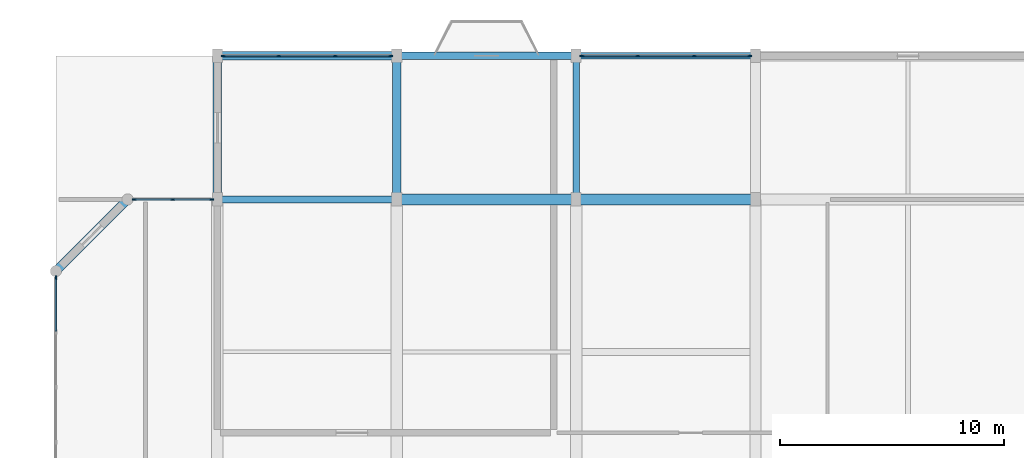
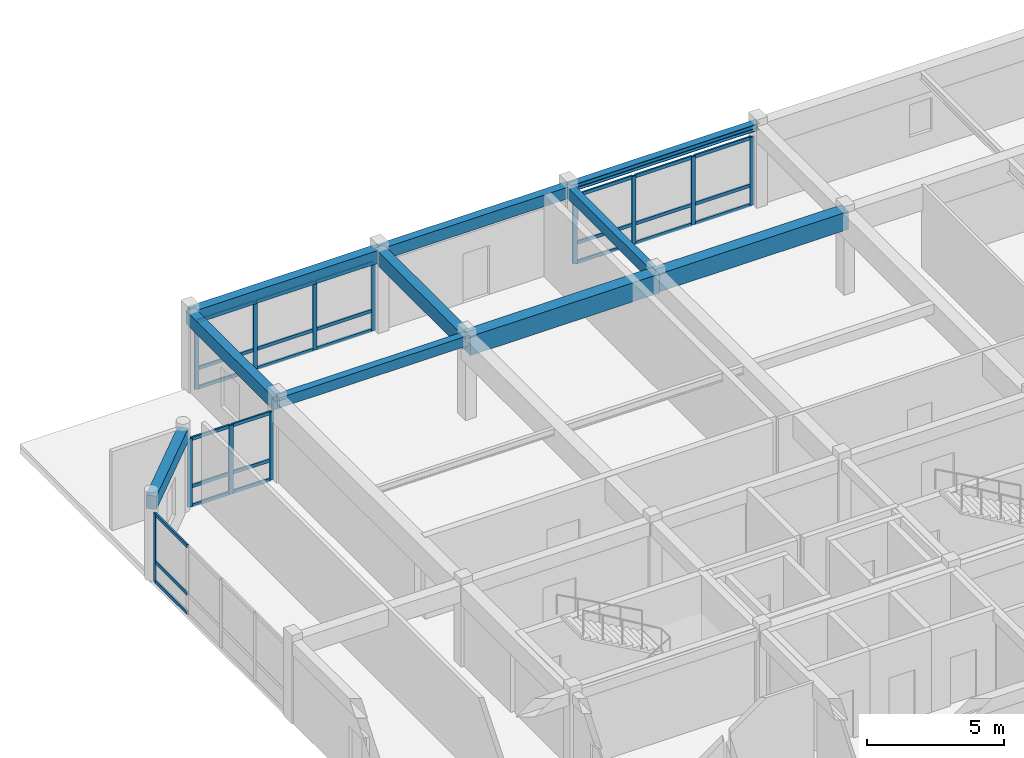
# One storey, part 5 of 12: 39 members, 10 beams, 4 elements without a shape of their own.
"""IFC4 building model written with IfcOpenShell, lengths in metres."""

from ifc_helpers import new_model, si_unit, direction, frame, origin, origin_2d, place, context, subcontext, project, spatial, rectangle, i_section, extrude, material, material_profile, profile_set, type_object, element, aggregate, save


model = new_model("IFC4")

# Units and contexts
model_context = context("Model", 3, precision=1e-05, world=origin(), true_north=direction((0.0, 1.0)))
body_context = subcontext(model_context, "Body", "Model", "MODEL_VIEW")
ifc_project = project(units=[si_unit("LENGTHUNIT", "METRE"), si_unit("AREAUNIT", "SQUARE_METRE"), si_unit("VOLUMEUNIT", "CUBIC_METRE"), si_unit("PLANEANGLEUNIT", "RADIAN"), si_unit("MASSUNIT", "GRAM", prefix="KILO")], contexts=[model_context])

# Site, building, storey
site_placement = place(None, origin())
site = spatial("IfcSite", under=ifc_project, at=site_placement, CompositionType="ELEMENT")
building_placement = place(site_placement, origin())
building = spatial("IfcBuilding", under=site, at=building_placement, Name="Vellmiral Cinema and Media Centre", CompositionType="ELEMENT")
storey_placement = place(building_placement, frame((0.0, 0.0, 62.64990234375)))
storey = spatial("IfcBuildingStorey", under=building, at=storey_placement, Name="L15", CompositionType="ELEMENT", Elevation=62.64990234375)

# Beams
ifc_material_1 = material(Name="Concrete C40/50", Category="concrete")
ifc_material_profile_1 = material_profile(ifc_material_1, rectangle(XDim=0.300048828125, YDim=0.449951171875, at=origin_2d()), Name="RC 300x450")
ifc_profile_set_1 = profile_set([ifc_material_profile_1], Name="Concrete C40/50")
beam_type_1 = type_object("IfcBeamType", Name="BM-RC-300x450", PredefinedType="BEAM", material=ifc_profile_set_1)
beam_1_placement = place(storey_placement, frame((124.0, 108.800048828125, 3.420166015625), z_axis=(1.0, 0.0, 0.0), x_axis=(0.0, 1.0, 0.0)))
element("IfcBeam", 1, at=beam_1_placement, inside=storey, type_object=beam_type_1, Name="Grid Beam L15-X023", PredefinedType="BEAM", context=body_context, shape_type="SweptSolid", body=[
    extrude(rectangle(XDim=0.300048828125, YDim=0.449951171875, at=origin_2d()), origin(), (0.0, 0.0, 1.0), 8.0),
])
ifc_material_2 = material(Name="Concrete C40/50", Category="concrete")
ifc_material_profile_2 = material_profile(ifc_material_2, rectangle(XDim=0.300048828125, YDim=0.5, at=origin_2d()), Name="RC 300x500")
ifc_profile_set_2 = profile_set([ifc_material_profile_2], Name="Concrete C40/50")
beam_type_2 = type_object("IfcBeamType", Name="BM-RC-300x500", PredefinedType="BEAM", material=ifc_profile_set_2)
beam_2_placement = place(storey_placement, frame((140.0, 108.800048828125, 3.39501953125), z_axis=(0.0, 1.0, 0.0), x_axis=(-1.0, 0.0, 0.0)))
element("IfcBeam", 2, at=beam_2_placement, inside=storey, type_object=beam_type_2, Name="Grid Beam L15-Y047", PredefinedType="BEAM", context=body_context, shape_type="SweptSolid", body=[
    extrude(rectangle(XDim=0.300048828125, YDim=0.5, at=origin_2d()), origin(), (0.0, 0.0, 1.0), 6.39990234375),
])
ifc_material_3 = material(Name="Concrete C40/50", Category="concrete")
ifc_material_profile_3 = material_profile(ifc_material_3, rectangle(XDim=0.39990234375, YDim=0.64990234375, at=origin_2d()), Name="RC 400x650")
ifc_profile_set_3 = profile_set([ifc_material_profile_3], Name="Concrete C40/50")
beam_type_3 = type_object("IfcBeamType", Name="BM-RC-400x650", PredefinedType="BEAM", material=ifc_profile_set_3)
beam_3_placement = place(storey_placement, frame((132.0, 108.800048828125, 3.320068359375), z_axis=(0.0, 1.0, 0.0), x_axis=(-1.0, 0.0, 0.0)))
element("IfcBeam", 3, at=beam_3_placement, inside=storey, type_object=beam_type_3, Name="Grid Beam L15-Y042", PredefinedType="BEAM", context=body_context, shape_type="SweptSolid", body=[
    extrude(rectangle(XDim=0.39990234375, YDim=0.64990234375, at=origin_2d()), origin(), (0.0, 0.0, 1.0), 6.39990234375),
])
ifc_material_4 = material(Name="Concrete C40/50", Category="concrete")
ifc_material_profile_4 = material_profile(ifc_material_4, rectangle(XDim=0.5, YDim=0.800048828125, at=origin_2d()), Name="RC 500x800")
ifc_profile_set_4 = profile_set([ifc_material_profile_4], Name="Concrete C40/50")
beam_type_4 = type_object("IfcBeamType", Name="BM-RC-500x800", PredefinedType="BEAM", material=ifc_profile_set_4)
beam_4_placement = place(storey_placement, frame((140.0, 108.800048828125, 3.2451171875), z_axis=(1.0, 0.0, 0.0), x_axis=(0.0, 1.0, 0.0)))
element("IfcBeam", 4, at=beam_4_placement, inside=storey, type_object=beam_type_4, Name="Grid Beam L15-X025", PredefinedType="BEAM", context=body_context, shape_type="SweptSolid", body=[
    extrude(rectangle(XDim=0.5, YDim=0.800048828125, at=origin_2d()), origin(), (0.0, 0.0, 1.0), 8.0),
])
ifc_material_5 = material(Name="Concrete C40/50", Category="concrete")
ifc_material_profile_5 = material_profile(ifc_material_5, rectangle(XDim=0.5, YDim=0.85009765625, at=origin_2d()), Name="RC 500x850")
ifc_profile_set_5 = profile_set([ifc_material_profile_5], Name="Concrete C40/50")
beam_type_5 = type_object("IfcBeamType", Name="BM-RC-500x850", PredefinedType="BEAM", material=ifc_profile_set_5)
beam_5_placement = place(storey_placement, frame((132.0, 108.800048828125, 3.22021484375), z_axis=(1.0, 0.0, 0.0), x_axis=(0.0, 1.0, 0.0)))
element("IfcBeam", 5, at=beam_5_placement, inside=storey, type_object=beam_type_5, Name="Grid Beam L15-X024", PredefinedType="BEAM", context=body_context, shape_type="SweptSolid", body=[
    extrude(rectangle(XDim=0.5, YDim=0.85009765625, at=origin_2d()), origin(), (0.0, 0.0, 1.0), 8.0),
])

# Curtain wall, members
ifc_material_6 = material(Name="Thermally Broken Aluminium and Triple Glazing", Category="aluminium")
curtain_wall_type = type_object("IfcCurtainWallType", Name="CW-CROWN-LANTERN", PredefinedType="USERDEFINED", material=ifc_material_6)
curtain_wall_1_placement = place(storey_placement, origin())
curtain_wall_1 = element("IfcCurtainWall", 6, at=curtain_wall_1_placement, inside=storey, type_object=curtain_wall_type, Name="Curtain Wall L15-B016", ObjectType="STICK CURTAIN WALL", PredefinedType="USERDEFINED")
ifc_material_7 = material(Name="Thermally Broken Anodised Aluminium", Category="aluminium")
ifc_material_profile_6 = material_profile(ifc_material_7, rectangle(XDim=0.070068359375, YDim=0.179931640625, at=origin_2d()), Name="MULL 70x180")
ifc_profile_set_6 = profile_set([ifc_material_profile_6], Name="Thermally Broken Anodised Aluminium")
member_type_1 = type_object("IfcMemberType", Name="CWM-70x180", PredefinedType="MULLION", material=ifc_profile_set_6)
member_1_placement = place(storey_placement, frame((147.739990234375, 115.199951171875, 0.0), z_axis=(0.0, 0.0, 1.0), x_axis=(0.0, -1.0, 0.0)))
member_1 = element("IfcMember", 7, at=member_1_placement, type_object=member_type_1, Name="CW-10 mullion 1", PredefinedType="MULLION", context=body_context, shape_type="SweptSolid", body=[
    extrude(rectangle(XDim=0.070068359375, YDim=0.179931640625, at=origin_2d()), origin(), (0.0, 0.0, 1.0), 3.050048828125),
])
member_2_placement = place(storey_placement, frame((145.25830078125, 115.199951171875, 0.0), z_axis=(0.0, 0.0, 1.0), x_axis=(0.0, -1.0, 0.0)))
member_2 = element("IfcMember", 8, at=member_2_placement, type_object=member_type_1, Name="CW-10 mullion 2", PredefinedType="MULLION", context=body_context, shape_type="SweptSolid", body=[
    extrude(rectangle(XDim=0.070068359375, YDim=0.179931640625, at=origin_2d()), origin(), (0.0, 0.0, 1.0), 3.050048828125),
])
member_3_placement = place(storey_placement, frame((142.74169921875, 115.199951171875, 0.0), z_axis=(0.0, 0.0, 1.0), x_axis=(0.0, -1.0, 0.0)))
member_3 = element("IfcMember", 9, at=member_3_placement, type_object=member_type_1, Name="CW-10 mullion 3", PredefinedType="MULLION", context=body_context, shape_type="SweptSolid", body=[
    extrude(rectangle(XDim=0.070068359375, YDim=0.179931640625, at=origin_2d()), origin(), (0.0, 0.0, 1.0), 3.050048828125),
])
member_4_placement = place(storey_placement, frame((140.260009765625, 115.199951171875, 0.0), z_axis=(0.0, 0.0, 1.0), x_axis=(0.0, -1.0, 0.0)))
member_4 = element("IfcMember", 10, at=member_4_placement, type_object=member_type_1, Name="CW-10 mullion 4", PredefinedType="MULLION", context=body_context, shape_type="SweptSolid", body=[
    extrude(rectangle(XDim=0.070068359375, YDim=0.179931640625, at=origin_2d()), origin(), (0.0, 0.0, 1.0), 3.050048828125),
])

curtain_wall_2_placement = place(storey_placement, origin())
curtain_wall_2 = element("IfcCurtainWall", 11, at=curtain_wall_2_placement, inside=storey, type_object=curtain_wall_type, Name="Curtain Wall L15-B018", ObjectType="STICK CURTAIN WALL", PredefinedType="USERDEFINED")
member_5_placement = place(storey_placement, frame((131.739990234375, 115.199951171875, 0.0), z_axis=(0.0, 0.0, 1.0), x_axis=(0.0, -1.0, 0.0)))
member_5 = element("IfcMember", 12, at=member_5_placement, type_object=member_type_1, Name="CW-10 mullion 1", PredefinedType="MULLION", context=body_context, shape_type="SweptSolid", body=[
    extrude(rectangle(XDim=0.070068359375, YDim=0.179931640625, at=origin_2d()), origin(), (0.0, 0.0, 1.0), 3.050048828125),
])
member_6_placement = place(storey_placement, frame((129.25830078125, 115.199951171875, 0.0), z_axis=(0.0, 0.0, 1.0), x_axis=(0.0, -1.0, 0.0)))
member_6 = element("IfcMember", 13, at=member_6_placement, type_object=member_type_1, Name="CW-10 mullion 2", PredefinedType="MULLION", context=body_context, shape_type="SweptSolid", body=[
    extrude(rectangle(XDim=0.070068359375, YDim=0.179931640625, at=origin_2d()), origin(), (0.0, 0.0, 1.0), 3.050048828125),
])
member_7_placement = place(storey_placement, frame((126.74169921875, 115.199951171875, 0.0), z_axis=(0.0, 0.0, 1.0), x_axis=(0.0, -1.0, 0.0)))
member_7 = element("IfcMember", 14, at=member_7_placement, type_object=member_type_1, Name="CW-10 mullion 3", PredefinedType="MULLION", context=body_context, shape_type="SweptSolid", body=[
    extrude(rectangle(XDim=0.070068359375, YDim=0.179931640625, at=origin_2d()), origin(), (0.0, 0.0, 1.0), 3.050048828125),
])
member_8_placement = place(storey_placement, frame((124.260009765625, 115.199951171875, 0.0), z_axis=(0.0, 0.0, 1.0), x_axis=(0.0, -1.0, 0.0)))
member_8 = element("IfcMember", 15, at=member_8_placement, type_object=member_type_1, Name="CW-10 mullion 4", PredefinedType="MULLION", context=body_context, shape_type="SweptSolid", body=[
    extrude(rectangle(XDim=0.070068359375, YDim=0.179931640625, at=origin_2d()), origin(), (0.0, 0.0, 1.0), 3.050048828125),
])

curtain_wall_3_placement = place(storey_placement, origin())
curtain_wall_3 = element("IfcCurtainWall", 16, at=curtain_wall_3_placement, inside=storey, type_object=curtain_wall_type, Name="Curtain Wall L15-B020", ObjectType="STICK CURTAIN WALL", PredefinedType="USERDEFINED")
member_9_placement = place(storey_placement, frame((123.739990234375, 108.800048828125, 0.0), z_axis=(0.0, 0.0, 1.0), x_axis=(0.0, -1.0, 0.0)))
member_9 = element("IfcMember", 17, at=member_9_placement, type_object=member_type_1, Name="CW-10 mullion 1", PredefinedType="MULLION", context=body_context, shape_type="SweptSolid", body=[
    extrude(rectangle(XDim=0.070068359375, YDim=0.179931640625, at=origin_2d()), origin(), (0.0, 0.0, 1.0), 3.050048828125),
])
member_10_placement = place(storey_placement, frame((122.012451171875, 108.800048828125, 0.0), z_axis=(0.0, 0.0, 1.0), x_axis=(0.0, -1.0, 0.0)))
member_10 = element("IfcMember", 18, at=member_10_placement, type_object=member_type_1, Name="CW-10 mullion 2", PredefinedType="MULLION", context=body_context, shape_type="SweptSolid", body=[
    extrude(rectangle(XDim=0.070068359375, YDim=0.179931640625, at=origin_2d()), origin(), (0.0, 0.0, 1.0), 3.050048828125),
])
member_11_placement = place(storey_placement, frame((120.284912109375, 108.800048828125, 0.0), z_axis=(0.0, 0.0, 1.0), x_axis=(0.0, -1.0, 0.0)))
member_11 = element("IfcMember", 19, at=member_11_placement, type_object=member_type_1, Name="CW-10 mullion 3", PredefinedType="MULLION", context=body_context, shape_type="SweptSolid", body=[
    extrude(rectangle(XDim=0.070068359375, YDim=0.179931640625, at=origin_2d()), origin(), (0.0, 0.0, 1.0), 3.050048828125),
])

# Curtain wall, member
curtain_wall_4_placement = place(storey_placement, origin())
curtain_wall_4 = element("IfcCurtainWall", 20, at=curtain_wall_4_placement, inside=storey, type_object=curtain_wall_type, Name="Curtain Wall L15-B022", ObjectType="STICK CURTAIN WALL", PredefinedType="USERDEFINED")
member_12_placement = place(storey_placement, frame((116.800048828125, 105.31494140625, 0.0), z_axis=(0.0, 0.0, 1.0), x_axis=(1.0, 0.0, 0.0)))
member_12 = element("IfcMember", 21, at=member_12_placement, type_object=member_type_1, Name="CW-10 mullion 1", PredefinedType="MULLION", context=body_context, shape_type="SweptSolid", body=[
    extrude(rectangle(XDim=0.070068359375, YDim=0.179931640625, at=origin_2d()), origin(), (0.0, 0.0, 1.0), 3.050048828125),
])

# Member
ifc_material_8 = material(Name="Thermally Broken Anodised Aluminium", Category="aluminium")
ifc_material_profile_7 = material_profile(ifc_material_8, rectangle(XDim=0.070068359375, YDim=0.14990234375, at=origin_2d()), Name="MULL 70x150")
ifc_profile_set_7 = profile_set([ifc_material_profile_7], Name="Thermally Broken Anodised Aluminium")
member_type_2 = type_object("IfcMemberType", Name="CWT-70x150", PredefinedType="USERDEFINED", material=ifc_profile_set_7)
member_13_placement = place(storey_placement, frame((147.705078125, 115.199951171875, 0.03515625), z_axis=(-1.0, 0.0, 0.0), x_axis=(0.0, -1.0, 0.0)))
member_13 = element("IfcMember", 22, at=member_13_placement, type_object=member_type_2, Name="CW-10 transom 1.1", ObjectType="TRANSOM", PredefinedType="USERDEFINED", context=body_context, shape_type="SweptSolid", body=[
    extrude(rectangle(XDim=0.070068359375, YDim=0.14990234375, at=origin_2d()), origin(), (0.0, 0.0, 1.0), 2.411865234375),
])

member_14_placement = place(storey_placement, frame((147.705078125, 115.199951171875, 0.900146484375), z_axis=(-1.0, 0.0, 0.0), x_axis=(0.0, -1.0, 0.0)))
member_14 = element("IfcMember", 23, at=member_14_placement, type_object=member_type_2, Name="CW-10 transom 1.2", ObjectType="TRANSOM", PredefinedType="USERDEFINED", context=body_context, shape_type="SweptSolid", body=[
    extrude(rectangle(XDim=0.070068359375, YDim=0.14990234375, at=origin_2d()), origin(), (0.0, 0.0, 1.0), 2.411865234375),
])

member_15_placement = place(storey_placement, frame((147.705078125, 115.199951171875, 3.01513671875), z_axis=(-1.0, 0.0, 0.0), x_axis=(0.0, -1.0, 0.0)))
member_15 = element("IfcMember", 24, at=member_15_placement, type_object=member_type_2, Name="CW-10 transom 1.3", ObjectType="TRANSOM", PredefinedType="USERDEFINED", context=body_context, shape_type="SweptSolid", body=[
    extrude(rectangle(XDim=0.070068359375, YDim=0.14990234375, at=origin_2d()), origin(), (0.0, 0.0, 1.0), 2.411865234375),
])

member_16_placement = place(storey_placement, frame((145.223388671875, 115.199951171875, 0.03515625), z_axis=(-1.0, 0.0, 0.0), x_axis=(0.0, -1.0, 0.0)))
member_16 = element("IfcMember", 25, at=member_16_placement, type_object=member_type_2, Name="CW-10 transom 2.1", ObjectType="TRANSOM", PredefinedType="USERDEFINED", context=body_context, shape_type="SweptSolid", body=[
    extrude(rectangle(XDim=0.070068359375, YDim=0.14990234375, at=origin_2d()), origin(), (0.0, 0.0, 1.0), 2.44677734375),
])

member_17_placement = place(storey_placement, frame((145.223388671875, 115.199951171875, 0.900146484375), z_axis=(-1.0, 0.0, 0.0), x_axis=(0.0, -1.0, 0.0)))
member_17 = element("IfcMember", 26, at=member_17_placement, type_object=member_type_2, Name="CW-10 transom 2.2", ObjectType="TRANSOM", PredefinedType="USERDEFINED", context=body_context, shape_type="SweptSolid", body=[
    extrude(rectangle(XDim=0.070068359375, YDim=0.14990234375, at=origin_2d()), origin(), (0.0, 0.0, 1.0), 2.44677734375),
])

member_18_placement = place(storey_placement, frame((145.223388671875, 115.199951171875, 3.01513671875), z_axis=(-1.0, 0.0, 0.0), x_axis=(0.0, -1.0, 0.0)))
member_18 = element("IfcMember", 27, at=member_18_placement, type_object=member_type_2, Name="CW-10 transom 2.3", ObjectType="TRANSOM", PredefinedType="USERDEFINED", context=body_context, shape_type="SweptSolid", body=[
    extrude(rectangle(XDim=0.070068359375, YDim=0.14990234375, at=origin_2d()), origin(), (0.0, 0.0, 1.0), 2.44677734375),
])

member_19_placement = place(storey_placement, frame((142.706787109375, 115.199951171875, 0.03515625), z_axis=(-1.0, 0.0, 0.0), x_axis=(0.0, -1.0, 0.0)))
member_19 = element("IfcMember", 28, at=member_19_placement, type_object=member_type_2, Name="CW-10 transom 3.1", ObjectType="TRANSOM", PredefinedType="USERDEFINED", context=body_context, shape_type="SweptSolid", body=[
    extrude(rectangle(XDim=0.070068359375, YDim=0.14990234375, at=origin_2d()), origin(), (0.0, 0.0, 1.0), 2.411865234375),
])

member_20_placement = place(storey_placement, frame((142.706787109375, 115.199951171875, 0.900146484375), z_axis=(-1.0, 0.0, 0.0), x_axis=(0.0, -1.0, 0.0)))
member_20 = element("IfcMember", 29, at=member_20_placement, type_object=member_type_2, Name="CW-10 transom 3.2", ObjectType="TRANSOM", PredefinedType="USERDEFINED", context=body_context, shape_type="SweptSolid", body=[
    extrude(rectangle(XDim=0.070068359375, YDim=0.14990234375, at=origin_2d()), origin(), (0.0, 0.0, 1.0), 2.411865234375),
])

member_21_placement = place(storey_placement, frame((142.706787109375, 115.199951171875, 3.01513671875), z_axis=(-1.0, 0.0, 0.0), x_axis=(0.0, -1.0, 0.0)))
member_21 = element("IfcMember", 30, at=member_21_placement, type_object=member_type_2, Name="CW-10 transom 3.3", ObjectType="TRANSOM", PredefinedType="USERDEFINED", context=body_context, shape_type="SweptSolid", body=[
    extrude(rectangle(XDim=0.070068359375, YDim=0.14990234375, at=origin_2d()), origin(), (0.0, 0.0, 1.0), 2.411865234375),
])

aggregate(curtain_wall_1, [member_1, member_2, member_3, member_4, member_13, member_14, member_15, member_16, member_17, member_18, member_19, member_20, member_21])

member_22_placement = place(storey_placement, frame((131.705078125, 115.199951171875, 0.03515625), z_axis=(-1.0, 0.0, 0.0), x_axis=(0.0, -1.0, 0.0)))
member_22 = element("IfcMember", 31, at=member_22_placement, type_object=member_type_2, Name="CW-10 transom 1.1", ObjectType="TRANSOM", PredefinedType="USERDEFINED", context=body_context, shape_type="SweptSolid", body=[
    extrude(rectangle(XDim=0.070068359375, YDim=0.14990234375, at=origin_2d()), origin(), (0.0, 0.0, 1.0), 2.411865234375),
])

member_23_placement = place(storey_placement, frame((131.705078125, 115.199951171875, 0.900146484375), z_axis=(-1.0, 0.0, 0.0), x_axis=(0.0, -1.0, 0.0)))
member_23 = element("IfcMember", 32, at=member_23_placement, type_object=member_type_2, Name="CW-10 transom 1.2", ObjectType="TRANSOM", PredefinedType="USERDEFINED", context=body_context, shape_type="SweptSolid", body=[
    extrude(rectangle(XDim=0.070068359375, YDim=0.14990234375, at=origin_2d()), origin(), (0.0, 0.0, 1.0), 2.411865234375),
])

member_24_placement = place(storey_placement, frame((131.705078125, 115.199951171875, 3.01513671875), z_axis=(-1.0, 0.0, 0.0), x_axis=(0.0, -1.0, 0.0)))
member_24 = element("IfcMember", 33, at=member_24_placement, type_object=member_type_2, Name="CW-10 transom 1.3", ObjectType="TRANSOM", PredefinedType="USERDEFINED", context=body_context, shape_type="SweptSolid", body=[
    extrude(rectangle(XDim=0.070068359375, YDim=0.14990234375, at=origin_2d()), origin(), (0.0, 0.0, 1.0), 2.411865234375),
])

member_25_placement = place(storey_placement, frame((129.223388671875, 115.199951171875, 0.03515625), z_axis=(-1.0, 0.0, 0.0), x_axis=(0.0, -1.0, 0.0)))
member_25 = element("IfcMember", 34, at=member_25_placement, type_object=member_type_2, Name="CW-10 transom 2.1", ObjectType="TRANSOM", PredefinedType="USERDEFINED", context=body_context, shape_type="SweptSolid", body=[
    extrude(rectangle(XDim=0.070068359375, YDim=0.14990234375, at=origin_2d()), origin(), (0.0, 0.0, 1.0), 2.44677734375),
])

member_26_placement = place(storey_placement, frame((129.223388671875, 115.199951171875, 0.900146484375), z_axis=(-1.0, 0.0, 0.0), x_axis=(0.0, -1.0, 0.0)))
member_26 = element("IfcMember", 35, at=member_26_placement, type_object=member_type_2, Name="CW-10 transom 2.2", ObjectType="TRANSOM", PredefinedType="USERDEFINED", context=body_context, shape_type="SweptSolid", body=[
    extrude(rectangle(XDim=0.070068359375, YDim=0.14990234375, at=origin_2d()), origin(), (0.0, 0.0, 1.0), 2.44677734375),
])

member_27_placement = place(storey_placement, frame((129.223388671875, 115.199951171875, 3.01513671875), z_axis=(-1.0, 0.0, 0.0), x_axis=(0.0, -1.0, 0.0)))
member_27 = element("IfcMember", 36, at=member_27_placement, type_object=member_type_2, Name="CW-10 transom 2.3", ObjectType="TRANSOM", PredefinedType="USERDEFINED", context=body_context, shape_type="SweptSolid", body=[
    extrude(rectangle(XDim=0.070068359375, YDim=0.14990234375, at=origin_2d()), origin(), (0.0, 0.0, 1.0), 2.44677734375),
])

member_28_placement = place(storey_placement, frame((126.706787109375, 115.199951171875, 0.03515625), z_axis=(-1.0, 0.0, 0.0), x_axis=(0.0, -1.0, 0.0)))
member_28 = element("IfcMember", 37, at=member_28_placement, type_object=member_type_2, Name="CW-10 transom 3.1", ObjectType="TRANSOM", PredefinedType="USERDEFINED", context=body_context, shape_type="SweptSolid", body=[
    extrude(rectangle(XDim=0.070068359375, YDim=0.14990234375, at=origin_2d()), origin(), (0.0, 0.0, 1.0), 2.411865234375),
])

member_29_placement = place(storey_placement, frame((126.706787109375, 115.199951171875, 0.900146484375), z_axis=(-1.0, 0.0, 0.0), x_axis=(0.0, -1.0, 0.0)))
member_29 = element("IfcMember", 38, at=member_29_placement, type_object=member_type_2, Name="CW-10 transom 3.2", ObjectType="TRANSOM", PredefinedType="USERDEFINED", context=body_context, shape_type="SweptSolid", body=[
    extrude(rectangle(XDim=0.070068359375, YDim=0.14990234375, at=origin_2d()), origin(), (0.0, 0.0, 1.0), 2.411865234375),
])

member_30_placement = place(storey_placement, frame((126.706787109375, 115.199951171875, 3.01513671875), z_axis=(-1.0, 0.0, 0.0), x_axis=(0.0, -1.0, 0.0)))
member_30 = element("IfcMember", 39, at=member_30_placement, type_object=member_type_2, Name="CW-10 transom 3.3", ObjectType="TRANSOM", PredefinedType="USERDEFINED", context=body_context, shape_type="SweptSolid", body=[
    extrude(rectangle(XDim=0.070068359375, YDim=0.14990234375, at=origin_2d()), origin(), (0.0, 0.0, 1.0), 2.411865234375),
])

aggregate(curtain_wall_2, [member_5, member_6, member_7, member_8, member_22, member_23, member_24, member_25, member_26, member_27, member_28, member_29, member_30])

member_31_placement = place(storey_placement, frame((123.705078125, 108.800048828125, 0.03515625), z_axis=(-1.0, 0.0, 0.0), x_axis=(0.0, -1.0, 0.0)))
member_31 = element("IfcMember", 40, at=member_31_placement, type_object=member_type_2, Name="CW-10 transom 1.1", ObjectType="TRANSOM", PredefinedType="USERDEFINED", context=body_context, shape_type="SweptSolid", body=[
    extrude(rectangle(XDim=0.070068359375, YDim=0.14990234375, at=origin_2d()), origin(), (0.0, 0.0, 1.0), 1.657470703125),
])

member_32_placement = place(storey_placement, frame((123.705078125, 108.800048828125, 0.900146484375), z_axis=(-1.0, 0.0, 0.0), x_axis=(0.0, -1.0, 0.0)))
member_32 = element("IfcMember", 41, at=member_32_placement, type_object=member_type_2, Name="CW-10 transom 1.2", ObjectType="TRANSOM", PredefinedType="USERDEFINED", context=body_context, shape_type="SweptSolid", body=[
    extrude(rectangle(XDim=0.070068359375, YDim=0.14990234375, at=origin_2d()), origin(), (0.0, 0.0, 1.0), 1.657470703125),
])

member_33_placement = place(storey_placement, frame((123.705078125, 108.800048828125, 3.01513671875), z_axis=(-1.0, 0.0, 0.0), x_axis=(0.0, -1.0, 0.0)))
member_33 = element("IfcMember", 42, at=member_33_placement, type_object=member_type_2, Name="CW-10 transom 1.3", ObjectType="TRANSOM", PredefinedType="USERDEFINED", context=body_context, shape_type="SweptSolid", body=[
    extrude(rectangle(XDim=0.070068359375, YDim=0.14990234375, at=origin_2d()), origin(), (0.0, 0.0, 1.0), 1.657470703125),
])

member_34_placement = place(storey_placement, frame((121.9775390625, 108.800048828125, 0.03515625), z_axis=(-1.0, 0.0, 0.0), x_axis=(0.0, -1.0, 0.0)))
member_34 = element("IfcMember", 43, at=member_34_placement, type_object=member_type_2, Name="CW-10 transom 2.1", ObjectType="TRANSOM", PredefinedType="USERDEFINED", context=body_context, shape_type="SweptSolid", body=[
    extrude(rectangle(XDim=0.070068359375, YDim=0.14990234375, at=origin_2d()), origin(), (0.0, 0.0, 1.0), 1.657470703125),
])

member_35_placement = place(storey_placement, frame((121.9775390625, 108.800048828125, 0.900146484375), z_axis=(-1.0, 0.0, 0.0), x_axis=(0.0, -1.0, 0.0)))
member_35 = element("IfcMember", 44, at=member_35_placement, type_object=member_type_2, Name="CW-10 transom 2.2", ObjectType="TRANSOM", PredefinedType="USERDEFINED", context=body_context, shape_type="SweptSolid", body=[
    extrude(rectangle(XDim=0.070068359375, YDim=0.14990234375, at=origin_2d()), origin(), (0.0, 0.0, 1.0), 1.657470703125),
])

member_36_placement = place(storey_placement, frame((121.9775390625, 108.800048828125, 3.01513671875), z_axis=(-1.0, 0.0, 0.0), x_axis=(0.0, -1.0, 0.0)))
member_36 = element("IfcMember", 45, at=member_36_placement, type_object=member_type_2, Name="CW-10 transom 2.3", ObjectType="TRANSOM", PredefinedType="USERDEFINED", context=body_context, shape_type="SweptSolid", body=[
    extrude(rectangle(XDim=0.070068359375, YDim=0.14990234375, at=origin_2d()), origin(), (0.0, 0.0, 1.0), 1.657470703125),
])

aggregate(curtain_wall_3, [member_9, member_10, member_11, member_31, member_32, member_33, member_34, member_35, member_36])

member_37_placement = place(storey_placement, frame((116.800048828125, 105.280029296875, 0.03515625), z_axis=(0.0, -1.0, 0.0), x_axis=(1.0, 0.0, 0.0)))
member_37 = element("IfcMember", 46, at=member_37_placement, type_object=member_type_2, Name="CW-10 transom 1.1", ObjectType="TRANSOM", PredefinedType="USERDEFINED", context=body_context, shape_type="SweptSolid", body=[
    extrude(rectangle(XDim=0.070068359375, YDim=0.14990234375, at=origin_2d()), origin(), (0.0, 0.0, 1.0), 2.357421875),
])

member_38_placement = place(storey_placement, frame((116.800048828125, 105.280029296875, 0.900146484375), z_axis=(0.0, -1.0, 0.0), x_axis=(1.0, 0.0, 0.0)))
member_38 = element("IfcMember", 47, at=member_38_placement, type_object=member_type_2, Name="CW-10 transom 1.2", ObjectType="TRANSOM", PredefinedType="USERDEFINED", context=body_context, shape_type="SweptSolid", body=[
    extrude(rectangle(XDim=0.070068359375, YDim=0.14990234375, at=origin_2d()), origin(), (0.0, 0.0, 1.0), 2.357421875),
])

member_39_placement = place(storey_placement, frame((116.800048828125, 105.280029296875, 3.01513671875), z_axis=(0.0, -1.0, 0.0), x_axis=(1.0, 0.0, 0.0)))
member_39 = element("IfcMember", 48, at=member_39_placement, type_object=member_type_2, Name="CW-10 transom 1.3", ObjectType="TRANSOM", PredefinedType="USERDEFINED", context=body_context, shape_type="SweptSolid", body=[
    extrude(rectangle(XDim=0.070068359375, YDim=0.14990234375, at=origin_2d()), origin(), (0.0, 0.0, 1.0), 2.357421875),
])

aggregate(curtain_wall_4, [member_12, member_37, member_38, member_39])

# Beams
ifc_material_9 = material(Name="Steel S355", Category="steel")
ifc_material_profile_8 = material_profile(ifc_material_9, i_section(OverallWidth=0.300048828125, OverallDepth=0.300048828125, WebThickness=0.010986328125, FlangeThickness=0.01904296875, FilletRadius=0.027099609375, at=origin_2d()), Name="HEB 300")
ifc_profile_set_8 = profile_set([ifc_material_profile_8], Name="Steel S355")
beam_type_6 = type_object("IfcBeamType", Name="SBM-HEB300", PredefinedType="SPANDREL", material=ifc_profile_set_8)
beam_6_placement = place(storey_placement, frame((140.0, 115.199951171875, 3.4951171875), z_axis=(1.0, 0.0, 0.0), x_axis=(0.0, 1.0, 0.0)))
element("IfcBeam", 49, at=beam_6_placement, inside=storey, type_object=beam_type_6, Name="Grid Beam L15-X029", PredefinedType="SPANDREL", context=body_context, shape_type="SweptSolid", body=[
    extrude(i_section(OverallWidth=0.300048828125, OverallDepth=0.300048828125, WebThickness=0.010986328125, FlangeThickness=0.01904296875, FilletRadius=0.027099609375, at=origin_2d()), origin(), (0.0, 0.0, 1.0), 8.0),
])
ifc_material_10 = material(Name="Concrete C40/50", Category="concrete")
ifc_material_profile_9 = material_profile(ifc_material_10, rectangle(XDim=0.39990234375, YDim=0.60009765625, at=origin_2d()), Name="RC 400x600")
ifc_profile_set_9 = profile_set([ifc_material_profile_9], Name="Concrete C40/50")
beam_type_7 = type_object("IfcBeamType", Name="SPD-RC-400x600", PredefinedType="SPANDREL", material=ifc_profile_set_9)
beam_7_placement = place(storey_placement, frame((116.800048828125, 105.60009765625, 3.34521484375), z_axis=(0.707106781187, 0.707106781187, 0.0), x_axis=(-0.707106781187, 0.707106781187, 0.0)))
element("IfcBeam", 50, at=beam_7_placement, inside=storey, type_object=beam_type_7, Name="Xamfra Chamfer Spandrel Beam L15-061", PredefinedType="SPANDREL", context=body_context, shape_type="SweptSolid", body=[
    extrude(rectangle(XDim=0.39990234375, YDim=0.60009765625, at=origin_2d()), origin(), (0.0, 0.0, 1.0), 4.525390625),
])
ifc_material_11 = material(Name="Vosges Red Sandstone Masonry", Category="masonry")
ifc_material_profile_10 = material_profile(ifc_material_11, rectangle(XDim=0.340087890625, YDim=0.52001953125, at=origin_2d()), Name="SAND 340x520")
ifc_profile_set_10 = profile_set([ifc_material_profile_10], Name="Vosges Red Sandstone Masonry")
beam_type_8 = type_object("IfcBeamType", Name="SPD-SAND-340x520", PredefinedType="SPANDREL", material=ifc_profile_set_10)
beam_8_placement = place(storey_placement, frame((132.0, 115.199951171875, 3.385009765625), z_axis=(1.0, 0.0, 0.0), x_axis=(0.0, 1.0, 0.0)))
element("IfcBeam", 51, at=beam_8_placement, inside=storey, type_object=beam_type_8, Name="Grid Beam L15-X028", PredefinedType="SPANDREL", context=body_context, shape_type="SweptSolid", body=[
    extrude(rectangle(XDim=0.340087890625, YDim=0.52001953125, at=origin_2d()), origin(), (0.0, 0.0, 1.0), 8.0),
])
ifc_material_12 = material(Name="Vosges Red Sandstone Masonry", Category="masonry")
ifc_material_profile_11 = material_profile(ifc_material_12, rectangle(XDim=0.3798828125, YDim=0.580078125, at=origin_2d()), Name="SAND 380x580")
ifc_profile_set_11 = profile_set([ifc_material_profile_11], Name="Vosges Red Sandstone Masonry")
beam_type_9 = type_object("IfcBeamType", Name="SPD-SAND-380x580", PredefinedType="SPANDREL", material=ifc_profile_set_11)
beam_9_placement = place(storey_placement, frame((124.0, 115.199951171875, 3.35498046875), z_axis=(1.0, 0.0, 0.0), x_axis=(0.0, 1.0, 0.0)))
element("IfcBeam", 52, at=beam_9_placement, inside=storey, type_object=beam_type_9, Name="Grid Beam L15-X027", PredefinedType="SPANDREL", context=body_context, shape_type="SweptSolid", body=[
    extrude(rectangle(XDim=0.3798828125, YDim=0.580078125, at=origin_2d()), origin(), (0.0, 0.0, 1.0), 8.0),
])
beam_10_placement = place(storey_placement, frame((124.0, 108.800048828125, 3.35498046875), z_axis=(0.0, 1.0, 0.0), x_axis=(-1.0, 0.0, 0.0)))
element("IfcBeam", 53, at=beam_10_placement, inside=storey, type_object=beam_type_9, Name="Grid Beam L15-Y037", PredefinedType="SPANDREL", context=body_context, shape_type="SweptSolid", body=[
    extrude(rectangle(XDim=0.3798828125, YDim=0.580078125, at=origin_2d()), origin(), (0.0, 0.0, 1.0), 6.39990234375),
])

save(model, "model.ifc")
